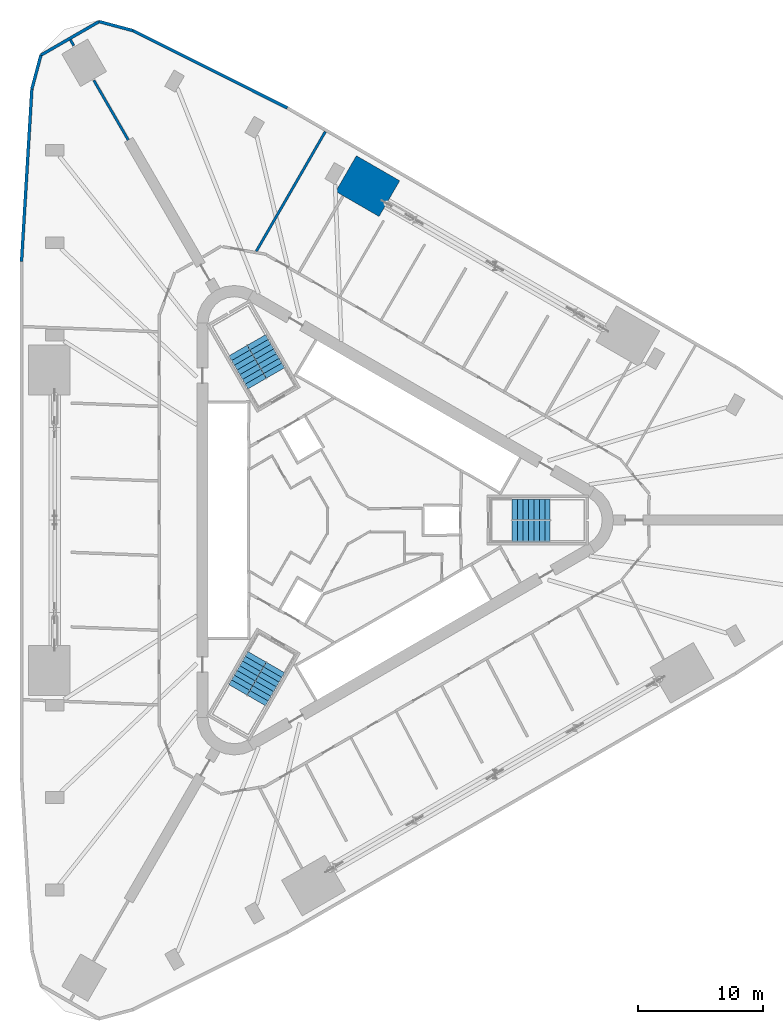
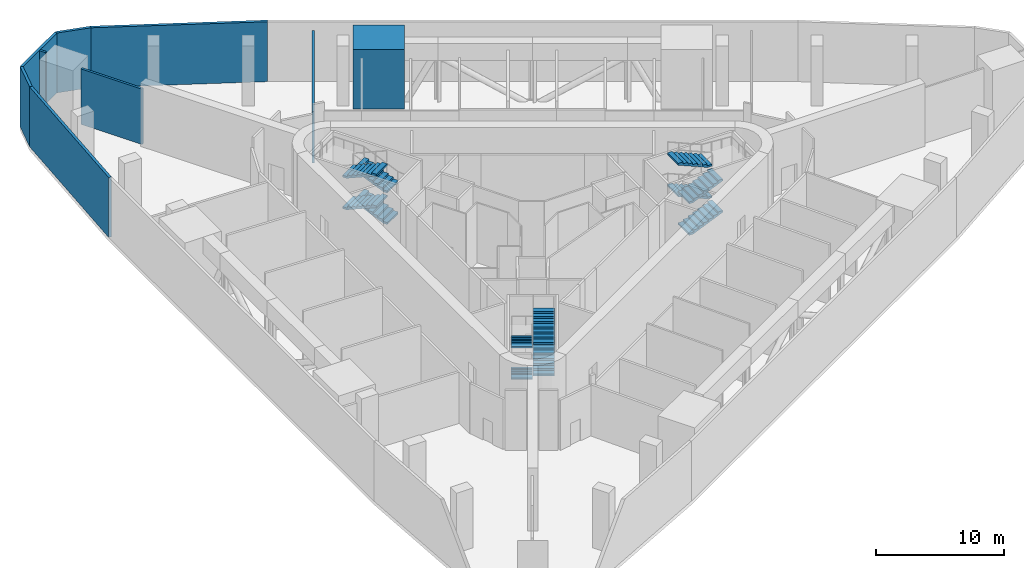
# One storey, part 11 of 14: 12 stair flights, 9 walls, 3 elements without a shape of their own.
"""IFC4 building model written with IfcOpenShell, lengths in metres."""

from ifc_helpers import new_model, si_unit, direction, frame, frame_2d, origin, place, context, subcontext, project, spatial, polyline, rectangle, outline, extrude, material, layer, layer_set, type_object, element, aggregate, save


model = new_model("IFC4")

# Units and contexts
model_context = context("Model", 3, precision=1e-05, world=origin(), true_north=direction((0.0, 1.0)))
body_context = subcontext(model_context, "Body", "Model", "MODEL_VIEW")
ifc_project = project(units=[si_unit("LENGTHUNIT", "METRE"), si_unit("AREAUNIT", "SQUARE_METRE"), si_unit("VOLUMEUNIT", "CUBIC_METRE"), si_unit("PLANEANGLEUNIT", "RADIAN"), si_unit("MASSUNIT", "GRAM", prefix="KILO")], contexts=[model_context])

# Site, building, storey
site_placement = place(None, origin())
site = spatial("IfcSite", under=ifc_project, at=site_placement, CompositionType="ELEMENT")
building_placement = place(site_placement, origin())
building = spatial("IfcBuilding", under=site, at=building_placement, Name="Tanit Gate Tower", CompositionType="ELEMENT")
storey_placement = place(building_placement, frame((0.0, 0.0, 39.5)))
storey = spatial("IfcBuildingStorey", under=building, at=storey_placement, Name="L06", CompositionType="ELEMENT", Elevation=39.5)

# Walls
ifc_material_1 = material(Name="Concrete C30/37 with bronze anodised aluminium cladding", Category="concrete")
ifc_layer_1 = layer(ifc_material_1, 0.239990234375)
ifc_layer_set_1 = layer_set([ifc_layer_1], Name="Facade wall bronze clad 240")
wall_type_1 = type_object("IfcWallType", Name="Facade wall bronze clad 240", PredefinedType="SOLIDWALL", material=ifc_layer_set_1)
wall_1_placement = place(storey_placement, frame((-4.860595703125, 32.951904296875, 0.0), z_axis=(0.0, 0.0, 1.0), x_axis=(-0.894285628533, 0.447496608478, 0.0)))
element("IfcWall", 1, at=wall_1_placement, inside=storey, type_object=wall_type_1, Name="Bronze-clad facade wall L06 NE3", PredefinedType="SOLIDWALL", context=body_context, shape_type="SweptSolid", body=[
    extrude(rectangle(XDim=13.80126953125, YDim=0.239990234375, at=frame_2d((6.900634765625, 0.0))), origin(), (0.0, 0.0, 1.0), 5.699951171875),
])
wall_2_placement = place(storey_placement, frame((-17.202880859375, 39.1279296875, 0.0), z_axis=(0.0, 0.0, 1.0), x_axis=(-0.965923146675, 0.25882904535, 0.0)))
element("IfcWall", 2, at=wall_2_placement, inside=storey, type_object=wall_type_1, Name="Bronze-clad facade wall L06 NW.arc1", PredefinedType="SOLIDWALL", context=body_context, shape_type="SweptSolid", body=[
    extrude(rectangle(XDim=2.800537109375, YDim=0.239990234375, at=frame_2d((1.400390625, 0.0))), origin(), (0.0, 0.0, 1.0), 5.699951171875),
])
wall_3_placement = place(storey_placement, frame((-19.907958984375, 39.852783203125, 0.0), z_axis=(0.0, 0.0, 1.0), x_axis=(-0.866010734295, -0.500025407441, 0.0)))
element("IfcWall", 3, at=wall_3_placement, inside=storey, type_object=wall_type_1, Name="Bronze-clad facade wall L06 NW.arc2", PredefinedType="SOLIDWALL", context=body_context, shape_type="SweptSolid", body=[
    extrude(rectangle(XDim=5.371337890625, YDim=0.239990234375, at=frame_2d((2.685546875, 0.0))), origin(), (0.0, 0.0, 1.0), 5.699951171875),
])
wall_4_placement = place(storey_placement, frame((-24.5595703125, 37.1669921875, 0.0), z_axis=(0.0, 0.0, 1.0), x_axis=(-0.258850842196, -0.965917305723, 0.0)))
element("IfcWall", 4, at=wall_4_placement, inside=storey, type_object=wall_type_1, Name="Bronze-clad facade wall L06 NW.arc3", PredefinedType="SOLIDWALL", context=body_context, shape_type="SweptSolid", body=[
    extrude(rectangle(XDim=2.80029296875, YDim=0.239990234375, at=frame_2d((1.400146484375, 0.0))), origin(), (0.0, 0.0, 1.0), 5.699951171875),
])
wall_5_placement = place(storey_placement, frame((-25.284423828125, 34.462158203125, 0.0), z_axis=(0.0, 0.0, 1.0), x_axis=(-0.059807686217, -0.998209918138, 0.0)))
element("IfcWall", 5, at=wall_5_placement, inside=storey, type_object=wall_type_1, Name="Bronze-clad facade wall L06 W1", PredefinedType="SOLIDWALL", context=body_context, shape_type="SweptSolid", body=[
    extrude(rectangle(XDim=13.801513671875, YDim=0.239990234375, at=frame_2d((6.90087890625, 0.0))), origin(), (0.0, 0.0, 1.0), 5.699951171875),
])
ifc_material_2 = material(Name="Fire-rated gypsum board partition")
ifc_layer_2 = layer(ifc_material_2, 0.199951171875)
ifc_layer_set_2 = layer_set([ifc_layer_2], Name="INT-WALL-COMPARTMENT")
wall_type_2 = type_object("IfcWallType", Name="INT-WALL-COMPARTMENT", PredefinedType="PARTITIONING", material=ifc_layer_set_2)
wall_6_placement = place(storey_placement, frame((-17.578125, 30.385986328125, 0.0), z_axis=(0.0, 0.0, 1.0), x_axis=(-0.499982128061, 0.866035721907, 0.0)))
element("IfcWall", 6, at=wall_6_placement, inside=storey, type_object=wall_type_2, Name="Wall Compartment W101", PredefinedType="PARTITIONING", context=body_context, shape_type="SweptSolid", body=[
    extrude(rectangle(XDim=5.507080078125, YDim=0.199951171875, at=frame_2d((2.75341796875, 0.0))), origin(), (0.0, 0.0, 1.0), 5.27001953125),
])
wall_7_placement = place(storey_placement, frame((-21.931640625, 37.926513671875, 0.0), z_axis=(0.0, 0.0, 1.0), x_axis=(-0.499761856089, 0.866162852585, 0.0)))
element("IfcWall", 7, at=wall_7_placement, inside=storey, type_object=wall_type_2, Name="Wall Compartment W100", PredefinedType="PARTITIONING", context=body_context, shape_type="SweptSolid", body=[
    extrude(rectangle(XDim=0.536376953125, YDim=0.199951171875, at=frame_2d((0.26806640625, 0.0))), origin(), (0.0, 0.0, 1.0), 5.699951171875),
])
wall_8_placement = place(storey_placement, frame((-7.34814453125, 21.49072265625, 0.0), z_axis=(0.0, 0.0, 1.0), x_axis=(0.499855125304, 0.866109031074, 0.0)))
element("IfcWall", 8, at=wall_8_placement, inside=storey, type_object=wall_type_2, Name="Wall Compartment W124", PredefinedType="PARTITIONING", context=body_context, shape_type="SweptSolid", body=[
    extrude(rectangle(XDim=11.044677734375, YDim=0.199951171875, at=frame_2d((5.5224609375, 0.0))), origin(), (0.0, 0.0, 1.0), 4.8798828125),
])
ifc_material_3 = material(Name="Concrete C60/75", Category="concrete")
ifc_layer_3 = layer(ifc_material_3, 4.0)
ifc_layer_set_3 = layer_set([ifc_layer_3], Name="PIER WALL 4000 C60/75")
wall_type_3 = type_object("IfcWallType", Name="PIER WALL 4000 C60/75", PredefinedType="SHEAR", material=ifc_layer_set_3)
wall_9_placement = place(storey_placement, origin())
element("IfcWall", 9, at=wall_9_placement, inside=storey, type_object=wall_type_3, Name="PIER WALL", PredefinedType="SHEAR", context=body_context, shape_type="SweptSolid", body=[
    extrude(outline(polyline([(4.116455078125, 27.1298828125), (0.65234375, 29.1298828125), (-0.99755859375, 26.27197265625), (2.466552734375, 24.27197265625), (4.116455078125, 27.1298828125)])), origin(), (0.0, 0.0, 1.0), 5.699951171875),
])

# Stair, stair flights
ifc_material_4 = material(Name="Concrete C40/50", Category="concrete")
stair_type = type_object("IfcStairType", Name="INT-STAIR-EXIT", PredefinedType="HALF_TURN_STAIR", material=ifc_material_4)
stair_1_placement = place(storey_placement, origin())
stair_1 = element("IfcStair", 10, at=stair_1_placement, inside=storey, type_object=stair_type, Name="L06 STAIR S1", PredefinedType="HALF_TURN_STAIR")
ifc_material_5 = material(Name="Concrete C40/50", Category="concrete")
stair_flight_type = type_object("IfcStairFlightType", Name="INT-STAIR-FLIGHT", PredefinedType="STRAIGHT", material=ifc_material_5)
stair_flight_1_placement = place(storey_placement, frame((13.094970703125, -0.8525390625, 0.0), z_axis=(0.0, 0.0, 1.0), x_axis=(1.0, 0.0, 0.0)))
stair_flight_1 = element("IfcStairFlight", 11, at=stair_flight_1_placement, type_object=stair_flight_type, Name="S1 flight 1", NumberOfRisers=8, NumberOfTreads=7, PredefinedType="STRAIGHT", RiserHeight=0.1875, TreadLength=0.435857143, context=body_context, shape_type="SweptSolid", body=[
    extrude(outline(polyline([(0.0, 0.0), (0.0, 0.1875), (0.435791015625, 0.1875), (0.435791015625, 0.375), (0.871826171875, 0.375), (0.871826171875, 0.5625), (1.3076171875, 0.5625), (1.3076171875, 0.75), (1.743408203125, 0.75), (1.743408203125, 0.9375), (2.17919921875, 0.9375), (2.17919921875, 1.125), (2.615234375, 1.125), (2.615234375, 1.3125), (3.051025390625, 1.3125), (3.051025390625, 1.5), (3.051025390625, 1.1494140625), (0.37939453125, 0.0), (0.0, 0.0)])), frame((0.0, 0.84765625, 0.0), z_axis=(0.0, -1.0, 0.0), x_axis=(1.0, 0.0, 0.0)), (0.0, 0.0, 1.0), 1.695068359375),
])
stair_flight_2_placement = place(storey_placement, frame((16.14599609375, 0.8525390625, 1.5), z_axis=(0.0, 0.0, 1.0), x_axis=(-1.0, 0.0, 0.0)))
stair_flight_2 = element("IfcStairFlight", 12, at=stair_flight_2_placement, type_object=stair_flight_type, Name="S1 flight 2", NumberOfRisers=8, NumberOfTreads=7, PredefinedType="STRAIGHT", RiserHeight=0.1875, TreadLength=0.435857143, context=body_context, shape_type="SweptSolid", body=[
    extrude(outline(polyline([(0.0, 0.0), (0.0, 0.1875), (0.435791015625, 0.1875), (0.435791015625, 0.375), (0.871826171875, 0.375), (0.871826171875, 0.5625), (1.3076171875, 0.5625), (1.3076171875, 0.75), (1.743408203125, 0.75), (1.743408203125, 0.9375), (2.17919921875, 0.9375), (2.17919921875, 1.125), (2.615234375, 1.125), (2.615234375, 1.3125), (3.051025390625, 1.3125), (3.051025390625, 1.5), (3.051025390625, 1.1494140625), (0.37939453125, 0.0), (0.0, 0.0)])), frame((0.0, 0.84765625, 0.0), z_axis=(0.0, -1.0, 0.0), x_axis=(1.0, 0.0, 0.0)), (0.0, 0.0, 1.0), 1.695068359375),
])
stair_flight_3_placement = place(storey_placement, frame((13.094970703125, -0.8525390625, 3.0), z_axis=(0.0, 0.0, 1.0), x_axis=(1.0, 0.0, 0.0)))
stair_flight_3 = element("IfcStairFlight", 13, at=stair_flight_3_placement, type_object=stair_flight_type, Name="S1 flight 3", NumberOfRisers=8, NumberOfTreads=7, PredefinedType="STRAIGHT", RiserHeight=0.1875, TreadLength=0.435857143, context=body_context, shape_type="SweptSolid", body=[
    extrude(outline(polyline([(0.0, 0.0), (0.0, 0.1875), (0.435791015625, 0.1875), (0.435791015625, 0.375), (0.871826171875, 0.375), (0.871826171875, 0.5625), (1.3076171875, 0.5625), (1.3076171875, 0.75), (1.743408203125, 0.75), (1.743408203125, 0.9375), (2.17919921875, 0.9375), (2.17919921875, 1.125), (2.615234375, 1.125), (2.615234375, 1.3125), (3.051025390625, 1.3125), (3.051025390625, 1.5), (3.051025390625, 1.1494140625), (0.37939453125, 0.0), (0.0, 0.0)])), frame((0.0, 0.84765625, 0.0), z_axis=(0.0, -1.0, 0.0), x_axis=(1.0, 0.0, 0.0)), (0.0, 0.0, 1.0), 1.695068359375),
])
stair_flight_4_placement = place(storey_placement, frame((16.14599609375, 0.8525390625, 4.5), z_axis=(0.0, 0.0, 1.0), x_axis=(-1.0, 0.0, 0.0)))
stair_flight_4 = element("IfcStairFlight", 14, at=stair_flight_4_placement, type_object=stair_flight_type, Name="S1 flight 4", NumberOfRisers=8, NumberOfTreads=7, PredefinedType="STRAIGHT", RiserHeight=0.1875, TreadLength=0.435857143, context=body_context, shape_type="SweptSolid", body=[
    extrude(outline(polyline([(0.0, 0.0), (0.0, 0.1875), (0.435791015625, 0.1875), (0.435791015625, 0.375), (0.871826171875, 0.375), (0.871826171875, 0.5625), (1.3076171875, 0.5625), (1.3076171875, 0.75), (1.743408203125, 0.75), (1.743408203125, 0.9375), (2.17919921875, 0.9375), (2.17919921875, 1.125), (2.615234375, 1.125), (2.615234375, 1.3125), (3.051025390625, 1.3125), (3.051025390625, 1.5), (3.051025390625, 1.1494140625), (0.37939453125, 0.0), (0.0, 0.0)])), frame((0.0, 0.84765625, 0.0), z_axis=(0.0, -1.0, 0.0), x_axis=(1.0, 0.0, 0.0)), (0.0, 0.0, 1.0), 1.695068359375),
])
aggregate(stair_1, [stair_flight_1, stair_flight_2, stair_flight_3, stair_flight_4])

stair_2_placement = place(storey_placement, origin())
stair_2 = element("IfcStair", 15, at=stair_2_placement, inside=storey, type_object=stair_type, Name="L06 STAIR S2", PredefinedType="HALF_TURN_STAIR")
stair_flight_5_placement = place(storey_placement, frame((-5.808349609375, 11.766357421875, 0.0), z_axis=(0.0, 0.0, 1.0), x_axis=(-0.5, 0.866025403784, 0.0)))
stair_flight_5 = element("IfcStairFlight", 16, at=stair_flight_5_placement, type_object=stair_flight_type, Name="S2 flight 1", NumberOfRisers=8, NumberOfTreads=7, PredefinedType="STRAIGHT", RiserHeight=0.1875, TreadLength=0.4356, context=body_context, shape_type="SweptSolid", body=[
    extrude(outline(polyline([(0.0, 0.0), (0.0, 0.1875), (0.435546875, 0.1875), (0.435546875, 0.375), (0.87109375, 0.375), (0.87109375, 0.5625), (1.306884765625, 0.5625), (1.306884765625, 0.75), (1.742431640625, 0.75), (1.742431640625, 0.9375), (2.177978515625, 0.9375), (2.177978515625, 1.125), (2.613525390625, 1.125), (2.613525390625, 1.3125), (3.04931640625, 1.3125), (3.04931640625, 1.5), (3.04931640625, 1.1494140625), (0.379150390625, 0.0), (0.0, 0.0)])), frame((0.0, 0.84716796875, 0.0), z_axis=(0.0, -1.0, 0.0), x_axis=(1.0, 0.0, 0.0)), (0.0, 0.0, 1.0), 1.694091796875),
])
stair_flight_6_placement = place(storey_placement, frame((-8.810302734375, 13.553955078125, 1.5), z_axis=(0.0, 0.0, 1.0), x_axis=(0.5, -0.866025403784, 0.0)))
stair_flight_6 = element("IfcStairFlight", 17, at=stair_flight_6_placement, type_object=stair_flight_type, Name="S2 flight 2", NumberOfRisers=8, NumberOfTreads=7, PredefinedType="STRAIGHT", RiserHeight=0.1875, TreadLength=0.4356, context=body_context, shape_type="SweptSolid", body=[
    extrude(outline(polyline([(0.0, 0.0), (0.0, 0.1875), (0.435546875, 0.1875), (0.435546875, 0.375), (0.87109375, 0.375), (0.87109375, 0.5625), (1.306884765625, 0.5625), (1.306884765625, 0.75), (1.742431640625, 0.75), (1.742431640625, 0.9375), (2.177978515625, 0.9375), (2.177978515625, 1.125), (2.613525390625, 1.125), (2.613525390625, 1.3125), (3.04931640625, 1.3125), (3.04931640625, 1.5), (3.04931640625, 1.1494140625), (0.379150390625, 0.0), (0.0, 0.0)])), frame((0.0, 0.84716796875, 0.0), z_axis=(0.0, -1.0, 0.0), x_axis=(1.0, 0.0, 0.0)), (0.0, 0.0, 1.0), 1.694091796875),
])
stair_flight_7_placement = place(storey_placement, frame((-5.808349609375, 11.766357421875, 3.0), z_axis=(0.0, 0.0, 1.0), x_axis=(-0.5, 0.866025403784, 0.0)))
stair_flight_7 = element("IfcStairFlight", 18, at=stair_flight_7_placement, type_object=stair_flight_type, Name="S2 flight 3", NumberOfRisers=8, NumberOfTreads=7, PredefinedType="STRAIGHT", RiserHeight=0.1875, TreadLength=0.4356, context=body_context, shape_type="SweptSolid", body=[
    extrude(outline(polyline([(0.0, 0.0), (0.0, 0.1875), (0.435546875, 0.1875), (0.435546875, 0.375), (0.87109375, 0.375), (0.87109375, 0.5625), (1.306884765625, 0.5625), (1.306884765625, 0.75), (1.742431640625, 0.75), (1.742431640625, 0.9375), (2.177978515625, 0.9375), (2.177978515625, 1.125), (2.613525390625, 1.125), (2.613525390625, 1.3125), (3.04931640625, 1.3125), (3.04931640625, 1.5), (3.04931640625, 1.1494140625), (0.379150390625, 0.0), (0.0, 0.0)])), frame((0.0, 0.84716796875, 0.0), z_axis=(0.0, -1.0, 0.0), x_axis=(1.0, 0.0, 0.0)), (0.0, 0.0, 1.0), 1.694091796875),
])
stair_flight_8_placement = place(storey_placement, frame((-8.810302734375, 13.553955078125, 4.5), z_axis=(0.0, 0.0, 1.0), x_axis=(0.5, -0.866025403784, 0.0)))
stair_flight_8 = element("IfcStairFlight", 19, at=stair_flight_8_placement, type_object=stair_flight_type, Name="S2 flight 4", NumberOfRisers=8, NumberOfTreads=7, PredefinedType="STRAIGHT", RiserHeight=0.1875, TreadLength=0.4356, context=body_context, shape_type="SweptSolid", body=[
    extrude(outline(polyline([(0.0, 0.0), (0.0, 0.1875), (0.435546875, 0.1875), (0.435546875, 0.375), (0.87109375, 0.375), (0.87109375, 0.5625), (1.306884765625, 0.5625), (1.306884765625, 0.75), (1.742431640625, 0.75), (1.742431640625, 0.9375), (2.177978515625, 0.9375), (2.177978515625, 1.125), (2.613525390625, 1.125), (2.613525390625, 1.3125), (3.04931640625, 1.3125), (3.04931640625, 1.5), (3.04931640625, 1.1494140625), (0.379150390625, 0.0), (0.0, 0.0)])), frame((0.0, 0.84716796875, 0.0), z_axis=(0.0, -1.0, 0.0), x_axis=(1.0, 0.0, 0.0)), (0.0, 0.0, 1.0), 1.694091796875),
])
aggregate(stair_2, [stair_flight_5, stair_flight_6, stair_flight_7, stair_flight_8])

stair_3_placement = place(storey_placement, origin())
stair_3 = element("IfcStair", 20, at=stair_3_placement, inside=storey, type_object=stair_type, Name="L06 STAIR S3", PredefinedType="HALF_TURN_STAIR")
stair_flight_9_placement = place(storey_placement, frame((-7.285888671875, -10.914306640625, 0.0), z_axis=(0.0, 0.0, 1.0), x_axis=(-0.5, -0.866025403784, 0.0)))
stair_flight_9 = element("IfcStairFlight", 21, at=stair_flight_9_placement, type_object=stair_flight_type, Name="S3 flight 1", NumberOfRisers=8, NumberOfTreads=7, PredefinedType="STRAIGHT", RiserHeight=0.1875, TreadLength=0.435857143, context=body_context, shape_type="SweptSolid", body=[
    extrude(outline(polyline([(0.0, 0.0), (0.0, 0.1875), (0.435791015625, 0.1875), (0.435791015625, 0.375), (0.871826171875, 0.375), (0.871826171875, 0.5625), (1.3076171875, 0.5625), (1.3076171875, 0.75), (1.743408203125, 0.75), (1.743408203125, 0.9375), (2.17919921875, 0.9375), (2.17919921875, 1.125), (2.615234375, 1.125), (2.615234375, 1.3125), (3.051025390625, 1.3125), (3.051025390625, 1.5), (3.051025390625, 1.1494140625), (0.37939453125, 0.0), (0.0, 0.0)])), frame((0.0, 0.84765625, 0.0), z_axis=(0.0, -1.0, 0.0), x_axis=(1.0, 0.0, 0.0)), (0.0, 0.0, 1.0), 1.695068359375),
])
stair_flight_10_placement = place(storey_placement, frame((-7.334716796875, -14.4091796875, 1.5), z_axis=(0.0, 0.0, 1.0), x_axis=(0.5, 0.866025403784, 0.0)))
stair_flight_10 = element("IfcStairFlight", 22, at=stair_flight_10_placement, type_object=stair_flight_type, Name="S3 flight 2", NumberOfRisers=8, NumberOfTreads=7, PredefinedType="STRAIGHT", RiserHeight=0.1875, TreadLength=0.435857143, context=body_context, shape_type="SweptSolid", body=[
    extrude(outline(polyline([(0.0, 0.0), (0.0, 0.1875), (0.435791015625, 0.1875), (0.435791015625, 0.375), (0.871826171875, 0.375), (0.871826171875, 0.5625), (1.3076171875, 0.5625), (1.3076171875, 0.75), (1.743408203125, 0.75), (1.743408203125, 0.9375), (2.17919921875, 0.9375), (2.17919921875, 1.125), (2.615234375, 1.125), (2.615234375, 1.3125), (3.051025390625, 1.3125), (3.051025390625, 1.5), (3.051025390625, 1.1494140625), (0.37939453125, 0.0), (0.0, 0.0)])), frame((0.0, 0.84765625, 0.0), z_axis=(0.0, -1.0, 0.0), x_axis=(1.0, 0.0, 0.0)), (0.0, 0.0, 1.0), 1.695068359375),
])
stair_flight_11_placement = place(storey_placement, frame((-7.285888671875, -10.914306640625, 3.0), z_axis=(0.0, 0.0, 1.0), x_axis=(-0.5, -0.866025403784, 0.0)))
stair_flight_11 = element("IfcStairFlight", 23, at=stair_flight_11_placement, type_object=stair_flight_type, Name="S3 flight 3", NumberOfRisers=8, NumberOfTreads=7, PredefinedType="STRAIGHT", RiserHeight=0.1875, TreadLength=0.435857143, context=body_context, shape_type="SweptSolid", body=[
    extrude(outline(polyline([(0.0, 0.0), (0.0, 0.1875), (0.435791015625, 0.1875), (0.435791015625, 0.375), (0.871826171875, 0.375), (0.871826171875, 0.5625), (1.3076171875, 0.5625), (1.3076171875, 0.75), (1.743408203125, 0.75), (1.743408203125, 0.9375), (2.17919921875, 0.9375), (2.17919921875, 1.125), (2.615234375, 1.125), (2.615234375, 1.3125), (3.051025390625, 1.3125), (3.051025390625, 1.5), (3.051025390625, 1.1494140625), (0.37939453125, 0.0), (0.0, 0.0)])), frame((0.0, 0.84765625, 0.0), z_axis=(0.0, -1.0, 0.0), x_axis=(1.0, 0.0, 0.0)), (0.0, 0.0, 1.0), 1.695068359375),
])
stair_flight_12_placement = place(storey_placement, frame((-7.334716796875, -14.4091796875, 4.5), z_axis=(0.0, 0.0, 1.0), x_axis=(0.5, 0.866025403784, 0.0)))
stair_flight_12 = element("IfcStairFlight", 24, at=stair_flight_12_placement, type_object=stair_flight_type, Name="S3 flight 4", NumberOfRisers=8, NumberOfTreads=7, PredefinedType="STRAIGHT", RiserHeight=0.1875, TreadLength=0.435857143, context=body_context, shape_type="SweptSolid", body=[
    extrude(outline(polyline([(0.0, 0.0), (0.0, 0.1875), (0.435791015625, 0.1875), (0.435791015625, 0.375), (0.871826171875, 0.375), (0.871826171875, 0.5625), (1.3076171875, 0.5625), (1.3076171875, 0.75), (1.743408203125, 0.75), (1.743408203125, 0.9375), (2.17919921875, 0.9375), (2.17919921875, 1.125), (2.615234375, 1.125), (2.615234375, 1.3125), (3.051025390625, 1.3125), (3.051025390625, 1.5), (3.051025390625, 1.1494140625), (0.37939453125, 0.0), (0.0, 0.0)])), frame((0.0, 0.84765625, 0.0), z_axis=(0.0, -1.0, 0.0), x_axis=(1.0, 0.0, 0.0)), (0.0, 0.0, 1.0), 1.695068359375),
])
aggregate(stair_3, [stair_flight_9, stair_flight_10, stair_flight_11, stair_flight_12])

save(model, "model.ifc")
